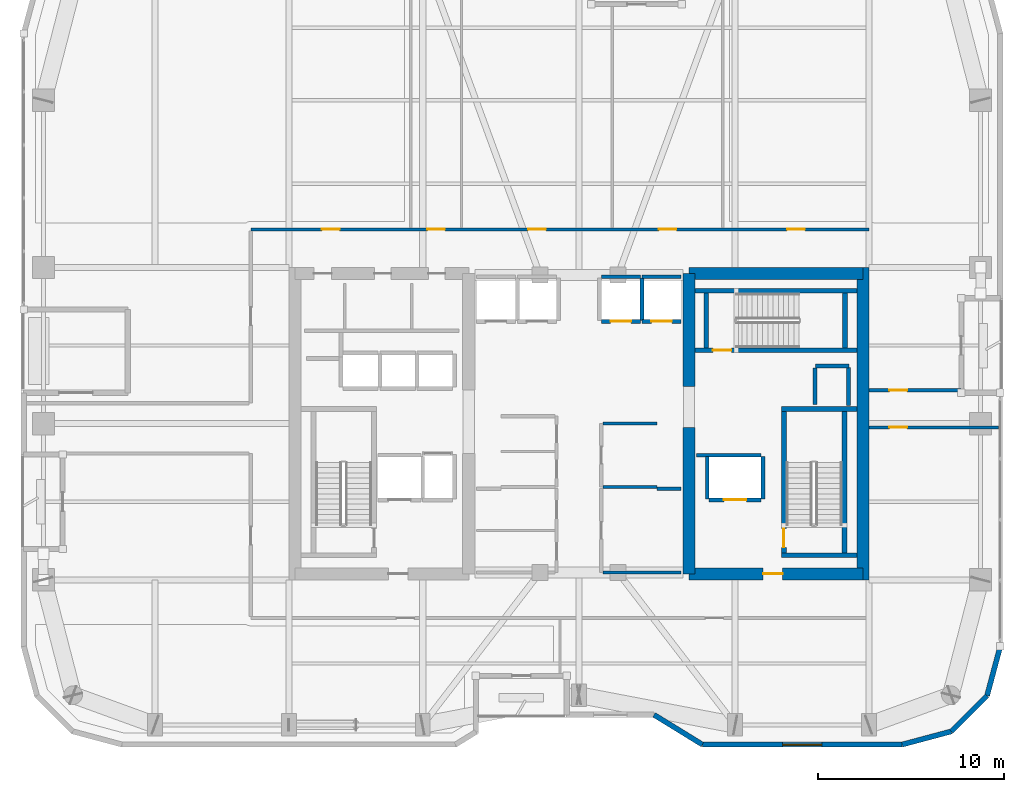
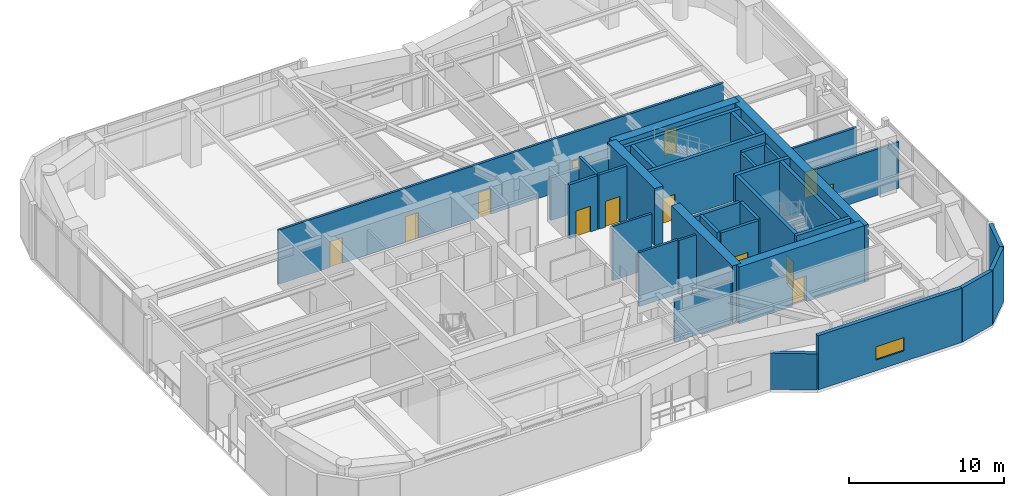
# One storey, part 17 of 21: 37 walls, 13 doors, 1 window, 14 openings.
"""IFC4 building model written with IfcOpenShell, lengths in metres."""

from ifc_helpers import new_model, si_unit, direction, frame, frame_2d, origin, place, context, subcontext, project, spatial, rectangle, extrude, material, layer, layer_set, type_object, element, fill, save


model = new_model("IFC4")

# Units and contexts
model_context = context("Model", 3, precision=1e-05, world=origin(), true_north=direction((0.0, 1.0)))
body_context = subcontext(model_context, "Body", "Model", "MODEL_VIEW")
ifc_project = project(units=[si_unit("LENGTHUNIT", "METRE"), si_unit("AREAUNIT", "SQUARE_METRE"), si_unit("VOLUMEUNIT", "CUBIC_METRE"), si_unit("PLANEANGLEUNIT", "RADIAN"), si_unit("MASSUNIT", "GRAM", prefix="KILO")], contexts=[model_context])

# Site, building, storey
site_placement = place(None, origin())
site = spatial("IfcSite", under=ifc_project, at=site_placement, CompositionType="ELEMENT")
building_placement = place(site_placement, origin())
building = spatial("IfcBuilding", under=site, at=building_placement, Name="Kiyonajd Concourse Tower", CompositionType="ELEMENT")
storey_placement = place(building_placement, frame((0.0, 0.0, 181.800048828125)))
storey = spatial("IfcBuildingStorey", under=building, at=storey_placement, Name="L46", CompositionType="ELEMENT", Elevation=181.800048828125)

# Walls
ifc_material_1 = material(Name="Concrete C60/75", Category="concrete")
ifc_layer_1 = layer(ifc_material_1, 0.64990234375)
ifc_layer_set_1 = layer_set([ifc_layer_1], Name="Concrete C60/75")
wall_type_1 = type_object("IfcWallType", Name="WL-CORE-650", PredefinedType="SHEAR", material=ifc_layer_set_1)
wall_1_placement = place(storey_placement, frame((53.925048828125, 27.925048828125, 0.0), z_axis=(0.0, 0.0, 1.0), x_axis=(0.0, 1.0, 0.0)))
element("IfcWall", 1, at=wall_1_placement, inside=storey, type_object=wall_type_1, Name="L46 East Core Inner South Shear Wall", PredefinedType="SHEAR", context=body_context, shape_type="SweptSolid", body=[
    extrude(rectangle(XDim=7.875, YDim=0.64990234375, at=frame_2d((3.9375, 0.0))), origin(), (0.0, 0.0, 1.0), 4.5),
])
wall_2_placement = place(storey_placement, frame((53.925048828125, 38.0, 0.0), z_axis=(0.0, 0.0, 1.0), x_axis=(0.0, 1.0, 0.0)))
element("IfcWall", 2, at=wall_2_placement, inside=storey, type_object=wall_type_1, Name="L46 East Core Inner North Shear Wall", PredefinedType="SHEAR", context=body_context, shape_type="SweptSolid", body=[
    extrude(rectangle(XDim=6.074951171875, YDim=0.64990234375, at=frame_2d((3.03759765625, 0.0))), origin(), (0.0, 0.0, 1.0), 4.5),
])
wall_3_placement = place(storey_placement, frame((63.27490234375, 27.60009765625, 0.0), z_axis=(0.0, 0.0, 1.0), x_axis=(0.0, 1.0, 0.0)))
element("IfcWall", 3, at=wall_3_placement, inside=storey, type_object=wall_type_1, Name="L46 East Core Outer Shear Wall", PredefinedType="SHEAR", context=body_context, shape_type="SweptSolid", body=[
    extrude(rectangle(XDim=16.7998046875, YDim=0.64990234375, at=frame_2d((8.39990234375, 0.0))), origin(), (0.0, 0.0, 1.0), 4.5),
])

# Wall, opening, door
wall_4_placement = place(storey_placement, frame((53.925048828125, 27.925048828125, 0.0), z_axis=(0.0, 0.0, 1.0), x_axis=(1.0, 0.0, 0.0)))
wall_4 = element("IfcWall", 4, at=wall_4_placement, inside=storey, type_object=wall_type_1, Name="L46 East Core South Shear Wall", PredefinedType="SHEAR", context=body_context, shape_type="SweptSolid", body=[
    extrude(rectangle(XDim=9.349853515625, YDim=0.64990234375, at=frame_2d((4.6748046875, 0.0))), origin(), (0.0, 0.0, 1.0), 4.5),
])
opening_1_placement = place(wall_4_placement, frame((3.97509765625, 0.0, 0.0)))
opening_1 = element("IfcOpeningElement", 5, at=opening_1_placement, cuts=wall_4, Name="Opening DF5", PredefinedType="OPENING", context=body_context, shape_type="SweptSolid", body=[
    extrude(rectangle(XDim=1.050048828125, YDim=2.0400390625, at=frame_2d((0.52490234375, 1.02001953125))), frame((0.0, 0.3349609375, 0.0), z_axis=(0.0, -1.0, 0.0), x_axis=(1.0, 0.0, 0.0)), (0.0, 0.0, 1.0), 0.669921875),
])
ifc_material_2 = material(Name="Brushed Stainless Steel Cab Assembly", Category="steel")
door_type_1 = type_object("IfcDoorType", Name="DR-FD45-1050", OperationType="NOTDEFINED", PredefinedType="DOOR", material=ifc_material_2)
door_1_placement = place(opening_1_placement, origin())
door_1 = element("IfcDoor", 6, at=door_1_placement, inside=storey, type_object=door_type_1, Name="L46 Firefighting Lift Lobby E Smoke Door", OperationType="SINGLE_SWING_RIGHT", OverallHeight=2.0400390625, OverallWidth=1.050048828125, PredefinedType="DOOR", context=body_context, shape_type="SweptSolid", body=[
    extrude(rectangle(XDim=1.050048828125, YDim=2.0400390625, at=frame_2d((0.52490234375, 1.02001953125))), frame((0.0, 0.02490234375, 0.0), z_axis=(0.0, -1.0, 0.0), x_axis=(1.0, 0.0, 0.0)), (0.0, 0.0, 1.0), 0.050048828125),
])
fill(opening_1, door_1)

# Walls
wall_5_placement = place(storey_placement, frame((53.925048828125, 44.074951171875, 0.0), z_axis=(0.0, 0.0, 1.0), x_axis=(1.0, 0.0, 0.0)))
element("IfcWall", 7, at=wall_5_placement, inside=storey, type_object=wall_type_1, Name="L46 East Core North Shear Wall", PredefinedType="SHEAR", context=body_context, shape_type="SweptSolid", body=[
    extrude(rectangle(XDim=9.349853515625, YDim=0.64990234375, at=frame_2d((4.6748046875, 0.0))), origin(), (0.0, 0.0, 1.0), 4.5),
])
ifc_material_3 = material(Name="Precast concrete C50/60", Category="concrete")
ifc_layer_2 = layer(ifc_material_3, 0.280029296875)
ifc_layer_set_2 = layer_set([ifc_layer_2], Name="Precast concrete C50/60")
wall_type_2 = type_object("IfcWallType", Name="WL-EXT-280", PredefinedType="SOLIDWALL", material=ifc_layer_set_2)
wall_6_placement = place(storey_placement, frame((70.659912109375, 24.018310546875, 0.0), z_axis=(0.0, 0.0, 1.0), x_axis=(-0.258672222976, -0.9659651552, 0.0)))
element("IfcWall", 8, at=wall_6_placement, inside=storey, type_object=wall_type_2, Name="L46 Exterior Concrete Frame Wall 28", PredefinedType="SOLIDWALL", context=body_context, shape_type="SweptSolid", body=[
    extrude(rectangle(XDim=2.739013671875, YDim=0.280029296875, at=frame_2d((1.36962890625, 0.0))), origin(), (0.0, 0.0, 1.0), 4.280029296875),
])
wall_7_placement = place(storey_placement, frame((69.951416015625, 21.37255859375, 0.0), z_axis=(0.0, 0.0, 1.0), x_axis=(-0.707061915429, -0.707151644098, 0.0)))
element("IfcWall", 9, at=wall_7_placement, inside=storey, type_object=wall_type_2, Name="L46 Exterior Concrete Frame Wall 29", PredefinedType="SOLIDWALL", context=body_context, shape_type="SweptSolid", body=[
    extrude(rectangle(XDim=2.720947265625, YDim=0.280029296875, at=frame_2d((1.3603515625, 0.0))), origin(), (0.0, 0.0, 1.0), 4.280029296875),
])
wall_8_placement = place(storey_placement, frame((68.027587890625, 19.448486328125, 0.0), z_axis=(0.0, 0.0, 1.0), x_axis=(-0.965971118627, -0.258649952598, 0.0)))
element("IfcWall", 10, at=wall_8_placement, inside=storey, type_object=wall_type_2, Name="L46 Exterior Concrete Frame Wall 30", PredefinedType="SOLIDWALL", context=body_context, shape_type="SweptSolid", body=[
    extrude(rectangle(XDim=2.7392578125, YDim=0.280029296875, at=frame_2d((1.36962890625, 0.0))), origin(), (0.0, 0.0, 1.0), 4.280029296875),
])

# Wall, opening, window
wall_9_placement = place(storey_placement, frame((65.381591796875, 18.739990234375, 0.0), z_axis=(0.0, 0.0, 1.0), x_axis=(-1.0, 0.0, 0.0)))
wall_9 = element("IfcWall", 11, at=wall_9_placement, inside=storey, type_object=wall_type_2, Name="L46 Exterior Concrete Frame Wall 31", PredefinedType="SOLIDWALL", context=body_context, shape_type="SweptSolid", body=[
    extrude(rectangle(XDim=10.741943359375, YDim=0.280029296875, at=frame_2d((5.37109375, 0.0))), origin(), (0.0, 0.0, 1.0), 4.280029296875),
])
opening_2_placement = place(wall_9_placement, frame((4.321044921875, 0.0, 0.85009765625)))
opening_2 = element("IfcOpeningElement", 12, at=opening_2_placement, cuts=wall_9, Name="Opening WN5", PredefinedType="OPENING", context=body_context, shape_type="SweptSolid", body=[
    extrude(rectangle(XDim=2.10009765625, YDim=1.050048828125, at=frame_2d((1.050048828125, 0.52490234375))), frame((0.0, 0.14990234375, 0.0), z_axis=(0.0, -1.0, 0.0), x_axis=(1.0, 0.0, 0.0)), (0.0, 0.0, 1.0), 0.300048828125),
])
ifc_material_4 = material(Name="Double Low-E Insulated Glass", Category="glass")
window_type = type_object("IfcWindowType", Name="WN-VIS-2100x1050", PartitioningType="SINGLE_PANEL", PredefinedType="WINDOW", material=ifc_material_4)
window_placement = place(opening_2_placement, origin())
window = element("IfcWindow", 13, at=window_placement, inside=storey, type_object=window_type, Name="L46 Modular Facade Vision Window 31", OverallHeight=1.050048828125, OverallWidth=2.10009765625, PartitioningType="SINGLE_PANEL", PredefinedType="WINDOW", context=body_context, shape_type="SweptSolid", body=[
    extrude(rectangle(XDim=2.10009765625, YDim=1.050048828125, at=frame_2d((1.050048828125, 0.52490234375))), frame((0.0, 0.030029296875, 0.0), z_axis=(0.0, -1.0, 0.0), x_axis=(1.0, 0.0, 0.0)), (0.0, 0.0, 1.0), 0.06005859375),
])
fill(opening_2, window)

# Walls
wall_10_placement = place(storey_placement, frame((54.6396484375, 18.739990234375, 0.0), z_axis=(0.0, 0.0, 1.0), x_axis=(-0.851652825334, 0.524106349037, 0.0)))
element("IfcWall", 14, at=wall_10_placement, inside=storey, type_object=wall_type_2, Name="L46 Exterior Concrete Frame Wall 32", PredefinedType="SOLIDWALL", context=body_context, shape_type="SweptSolid", body=[
    extrude(rectangle(XDim=3.052978515625, YDim=0.280029296875, at=frame_2d((1.5263671875, 0.0))), origin(), (0.0, 0.0, 1.0), 2.864990234375),
])
ifc_material_5 = material(Name="Gypsum Board on Cold-Formed Steel Stud", Category="steel")
ifc_layer_3 = layer(ifc_material_5, 0.2099609375)
ifc_layer_set_3 = layer_set([ifc_layer_3], Name="Gypsum Board on Cold-Formed Steel Stud")
wall_type_3 = type_object("IfcWallType", Name="WL-SHAFT-210", PredefinedType="PARTITIONING", material=ifc_layer_set_3)
wall_11_placement = place(storey_placement, frame((60.719970703125, 39.10009765625, 0.0), z_axis=(0.0, 0.0, 1.0), x_axis=(1.0, 0.0, 0.0)))
element("IfcWall", 15, at=wall_11_placement, inside=storey, type_object=wall_type_3, Name="L46 Shaft Enclosure Wall", PredefinedType="PARTITIONING", context=body_context, shape_type="SweptSolid", body=[
    extrude(rectangle(XDim=1.800048828125, YDim=0.2099609375, at=frame_2d((0.89990234375, 0.0))), origin(), (0.0, 0.0, 1.0), 4.280029296875),
])
wall_12_placement = place(storey_placement, frame((60.699951171875, 37.02001953125, 0.0), z_axis=(0.0, 0.0, 1.0), x_axis=(0.0, 1.0, 0.0)))
element("IfcWall", 16, at=wall_12_placement, inside=storey, type_object=wall_type_3, Name="L46 Shaft Enclosure Wall", PredefinedType="PARTITIONING", context=body_context, shape_type="SweptSolid", body=[
    extrude(rectangle(XDim=1.9599609375, YDim=0.2099609375, at=frame_2d((0.97998046875, 0.0))), origin(), (0.0, 0.0, 1.0), 4.280029296875),
])
wall_13_placement = place(storey_placement, frame((62.5, 36.97998046875, 0.0), z_axis=(0.0, 0.0, 1.0), x_axis=(0.0, 1.0, 0.0)))
element("IfcWall", 17, at=wall_13_placement, inside=storey, type_object=wall_type_3, Name="L46 Shaft Enclosure Wall", PredefinedType="PARTITIONING", context=body_context, shape_type="SweptSolid", body=[
    extrude(rectangle(XDim=2.0400390625, YDim=0.2099609375, at=frame_2d((1.02001953125, 0.0))), origin(), (0.0, 0.0, 1.0), 4.280029296875),
])

# Wall, opening, door
wall_14_placement = place(storey_placement, frame((55.0, 31.89990234375, 0.0), z_axis=(0.0, 0.0, 1.0), x_axis=(1.0, 0.0, 0.0)))
wall_14 = element("IfcWall", 18, at=wall_14_placement, inside=storey, type_object=wall_type_3, Name="L46 Shaft Enclosure Wall", PredefinedType="PARTITIONING", context=body_context, shape_type="SweptSolid", body=[
    extrude(rectangle(XDim=2.800048828125, YDim=0.2099609375, at=frame_2d((1.39990234375, 0.0))), origin(), (0.0, 0.0, 1.0), 4.280029296875),
])
opening_3_placement = place(wall_14_placement, frame((0.800048828125, 0.0, 0.0)))
opening_3 = element("IfcOpeningElement", 19, at=opening_3_placement, cuts=wall_14, Name="Opening LD2", PredefinedType="OPENING", context=body_context, shape_type="SweptSolid", body=[
    extrude(rectangle(XDim=1.199951171875, YDim=2.0400390625, at=frame_2d((0.60009765625, 1.02001953125))), frame((0.0, 0.114990234375, 0.0), z_axis=(0.0, -1.0, 0.0), x_axis=(1.0, 0.0, 0.0)), (0.0, 0.0, 1.0), 0.22998046875),
])
door_type_2 = type_object("IfcDoorType", Name="DR-LD-1200", OperationType="DOUBLE_DOOR_SLIDING", PredefinedType="DOOR", material=ifc_material_2)
door_2_placement = place(opening_3_placement, origin())
door_2 = element("IfcDoor", 20, at=door_2_placement, inside=storey, type_object=door_type_2, Name="L46 Lift FFL2 Sliding Landing Door", OperationType="DOUBLE_DOOR_SLIDING", OverallHeight=2.0400390625, OverallWidth=1.199951171875, PredefinedType="DOOR", context=body_context, shape_type="SweptSolid", body=[
    extrude(rectangle(XDim=1.199951171875, YDim=2.0400390625, at=frame_2d((0.60009765625, 1.02001953125))), frame((0.0, 0.02490234375, 0.0), z_axis=(0.0, -1.0, 0.0), x_axis=(1.0, 0.0, 0.0)), (0.0, 0.0, 1.0), 0.050048828125),
])
fill(opening_3, door_2)

# Walls
wall_15_placement = place(storey_placement, frame((54.320068359375, 34.300048828125, 0.0), z_axis=(0.0, 0.0, 1.0), x_axis=(1.0, 0.0, 0.0)))
element("IfcWall", 21, at=wall_15_placement, inside=storey, type_object=wall_type_3, Name="L46 Shaft Enclosure Wall", PredefinedType="PARTITIONING", context=body_context, shape_type="SweptSolid", body=[
    extrude(rectangle(XDim=3.47998046875, YDim=0.2099609375, at=frame_2d((1.739990234375, 0.0))), origin(), (0.0, 0.0, 1.0), 4.280029296875),
])
for number, where, z_axis, x_axis, name in (
    (22, (54.89990234375, 31.9599609375, 0.0), (0.0, 0.0, 1.0), (0.0, 1.0, 0.0), "L46 Shaft Enclosure Wall"),
    (23, (57.89990234375, 31.9599609375, 0.0), (0.0, 0.0, 1.0), (0.0, 1.0, 0.0), "L46 Shaft Enclosure Wall"),
):
    element("IfcWall", number, at=place(storey_placement, frame(where, z_axis=z_axis, x_axis=x_axis)), inside=storey, type_object=wall_type_3, Name=name, PredefinedType="PARTITIONING", context=body_context, shape_type="SweptSolid", body=[
        extrude(rectangle(XDim=2.280029296875, YDim=0.2099609375, at=frame_2d((1.14013671875, 0.0))), origin(), (0.0, 0.0, 1.0), 4.280029296875),
    ])

# Wall, opening, door
wall_16_placement = place(storey_placement, frame((49.199951171875, 41.5, 0.0), z_axis=(0.0, 0.0, 1.0), x_axis=(1.0, 0.0, 0.0)))
wall_16 = element("IfcWall", 24, at=wall_16_placement, inside=storey, type_object=wall_type_3, Name="L46 Shaft Enclosure Wall", PredefinedType="PARTITIONING", context=body_context, shape_type="SweptSolid", body=[
    extrude(rectangle(XDim=2.10009765625, YDim=0.2099609375, at=frame_2d((1.050048828125, 0.0))), origin(), (0.0, 0.0, 1.0), 4.280029296875),
])
opening_4_placement = place(wall_16_placement, frame((0.5, 0.0, 0.0)))
opening_4 = element("IfcOpeningElement", 25, at=opening_4_placement, cuts=wall_16, Name="Opening LD1", PredefinedType="OPENING", context=body_context, shape_type="SweptSolid", body=[
    extrude(rectangle(XDim=1.10009765625, YDim=2.0400390625, at=frame_2d((0.550048828125, 1.02001953125))), frame((0.0, 0.114990234375, 0.0), z_axis=(0.0, -1.0, 0.0), x_axis=(1.0, 0.0, 0.0)), (0.0, 0.0, 1.0), 0.22998046875),
])
door_type_3 = type_object("IfcDoorType", Name="DR-LD-1100", OperationType="DOUBLE_DOOR_SLIDING", PredefinedType="DOOR", material=ifc_material_2)
door_3_placement = place(opening_4_placement, origin())
door_3 = element("IfcDoor", 26, at=door_3_placement, inside=storey, type_object=door_type_3, Name="L46 Lift PL-M3 Sliding Landing Door", OperationType="DOUBLE_DOOR_SLIDING", OverallHeight=2.0400390625, OverallWidth=1.10009765625, PredefinedType="DOOR", context=body_context, shape_type="SweptSolid", body=[
    extrude(rectangle(XDim=1.10009765625, YDim=2.0400390625, at=frame_2d((0.550048828125, 1.02001953125))), frame((0.0, 0.02490234375, 0.0), z_axis=(0.0, -1.0, 0.0), x_axis=(1.0, 0.0, 0.0)), (0.0, 0.0, 1.0), 0.050048828125),
])
fill(opening_4, door_3)

# Walls
wall_17_placement = place(storey_placement, frame((49.199951171875, 43.89990234375, 0.0), z_axis=(0.0, 0.0, 1.0), x_axis=(1.0, 0.0, 0.0)))
element("IfcWall", 27, at=wall_17_placement, inside=storey, type_object=wall_type_3, Name="L46 Shaft Enclosure Wall", PredefinedType="PARTITIONING", context=body_context, shape_type="SweptSolid", body=[
    extrude(rectangle(XDim=2.10009765625, YDim=0.2099609375, at=frame_2d((1.050048828125, 0.0))), origin(), (0.0, 0.0, 1.0), 3.364990234375),
])
wall_18_placement = place(storey_placement, frame((51.39990234375, 41.56005859375, 0.0), z_axis=(0.0, 0.0, 1.0), x_axis=(0.0, 1.0, 0.0)))
element("IfcWall", 28, at=wall_18_placement, inside=storey, type_object=wall_type_3, Name="L46 Shaft Enclosure Wall", PredefinedType="PARTITIONING", context=body_context, shape_type="SweptSolid", body=[
    extrude(rectangle(XDim=2.280029296875, YDim=0.2099609375, at=frame_2d((1.14013671875, 0.0))), origin(), (0.0, 0.0, 1.0), 4.280029296875),
])

# Wall, opening, door
wall_19_placement = place(storey_placement, frame((51.39990234375, 41.5, 0.0), z_axis=(0.0, 0.0, 1.0), x_axis=(1.0, 0.0, 0.0)))
wall_19 = element("IfcWall", 29, at=wall_19_placement, inside=storey, type_object=wall_type_3, Name="L46 Shaft Enclosure Wall", PredefinedType="PARTITIONING", context=body_context, shape_type="SweptSolid", body=[
    extrude(rectangle(XDim=2.10009765625, YDim=0.2099609375, at=frame_2d((1.050048828125, 0.0))), origin(), (0.0, 0.0, 1.0), 4.280029296875),
])
opening_5_placement = place(wall_19_placement, frame((0.5, 0.0, 0.0)))
opening_5 = element("IfcOpeningElement", 30, at=opening_5_placement, cuts=wall_19, Name="Opening LD1", PredefinedType="OPENING", context=body_context, shape_type="SweptSolid", body=[
    extrude(rectangle(XDim=1.10009765625, YDim=2.0400390625, at=frame_2d((0.550048828125, 1.02001953125))), frame((0.0, 0.114990234375, 0.0), z_axis=(0.0, -1.0, 0.0), x_axis=(1.0, 0.0, 0.0)), (0.0, 0.0, 1.0), 0.22998046875),
])
door_4_placement = place(opening_5_placement, origin())
door_4 = element("IfcDoor", 31, at=door_4_placement, inside=storey, type_object=door_type_3, Name="L46 Lift PL-M4 Sliding Landing Door", OperationType="DOUBLE_DOOR_SLIDING", OverallHeight=2.0400390625, OverallWidth=1.10009765625, PredefinedType="DOOR", context=body_context, shape_type="SweptSolid", body=[
    extrude(rectangle(XDim=1.10009765625, YDim=2.0400390625, at=frame_2d((0.550048828125, 1.02001953125))), frame((0.0, 0.02490234375, 0.0), z_axis=(0.0, -1.0, 0.0), x_axis=(1.0, 0.0, 0.0)), (0.0, 0.0, 1.0), 0.050048828125),
])
fill(opening_5, door_4)

# Walls
wall_20_placement = place(storey_placement, frame((51.39990234375, 43.89990234375, 0.0), z_axis=(0.0, 0.0, 1.0), x_axis=(1.0, 0.0, 0.0)))
element("IfcWall", 32, at=wall_20_placement, inside=storey, type_object=wall_type_3, Name="L46 Shaft Enclosure Wall", PredefinedType="PARTITIONING", context=body_context, shape_type="SweptSolid", body=[
    extrude(rectangle(XDim=2.10009765625, YDim=0.2099609375, at=frame_2d((1.050048828125, 0.0))), origin(), (0.0, 0.0, 1.0), 3.364990234375),
])
ifc_layer_4 = layer(ifc_material_5, 0.169921875)
ifc_layer_set_4 = layer_set([ifc_layer_4], Name="Gypsum Board on Cold-Formed Steel Stud")
wall_type_4 = type_object("IfcWallType", Name="WL-SMK-170", PredefinedType="PARTITIONING", material=ifc_layer_set_4)
for number, where, z_axis, x_axis, name in (
    (33, (49.287109375, 32.60009765625, 0.0), (0.0, 0.0, 1.0), (1.0, 0.0, 0.0), "L46 Interior Partition Wall"),
    (34, (49.287109375, 36.0, 0.0), (0.0, 0.0, 1.0), (1.0, 0.0, 0.0), "L46 Interior Partition Wall"),
):
    element("IfcWall", number, at=place(storey_placement, frame(where, z_axis=z_axis, x_axis=x_axis)), inside=storey, type_object=wall_type_4, Name=name, PredefinedType="PARTITIONING", context=body_context, shape_type="SweptSolid", body=[
        extrude(rectangle(XDim=2.912841796875, YDim=0.169921875, at=frame_2d((1.45654296875, 0.0))), origin(), (0.0, 0.0, 1.0), 4.280029296875),
    ])
wall_21_placement = place(storey_placement, frame((49.287109375, 28.0, 0.0), z_axis=(0.0, 0.0, 1.0), x_axis=(1.0, 0.0, 0.0)))
element("IfcWall", 35, at=wall_21_placement, inside=storey, type_object=wall_type_4, Name="L46 Interior Partition Wall", PredefinedType="PARTITIONING", context=body_context, shape_type="SweptSolid", body=[
    extrude(rectangle(XDim=4.212890625, YDim=0.169921875, at=frame_2d((2.1064453125, 0.0))), origin(), (0.0, 0.0, 1.0), 3.364990234375),
])
wall_22_placement = place(storey_placement, frame((52.199951171875, 32.5, 0.0), z_axis=(0.0, 0.0, 1.0), x_axis=(1.0, 0.0, 0.0)))
element("IfcWall", 36, at=wall_22_placement, inside=storey, type_object=wall_type_4, Name="L46 Interior Partition Wall", PredefinedType="PARTITIONING", context=body_context, shape_type="SweptSolid", body=[
    extrude(rectangle(XDim=1.300048828125, YDim=0.169921875, at=frame_2d((0.64990234375, 0.0))), origin(), (0.0, 0.0, 1.0), 4.280029296875),
])

# Wall, openings, doors
wall_23_placement = place(storey_placement, frame((30.35009765625, 46.449951171875, 0.0), z_axis=(0.0, 0.0, 1.0), x_axis=(1.0, 0.0, 0.0)))
wall_23 = element("IfcWall", 37, at=wall_23_placement, inside=storey, type_object=wall_type_4, Name="L46 Interior Partition Wall", PredefinedType="PARTITIONING", context=body_context, shape_type="SweptSolid", body=[
    extrude(rectangle(XDim=33.25, YDim=0.169921875, at=frame_2d((16.625, 0.0))), origin(), (0.0, 0.0, 1.0), 4.280029296875),
])
opening_6_placement = place(wall_23_placement, frame((3.830078125, 0.0, 0.0)))
opening_6 = element("IfcOpeningElement", 38, at=opening_6_placement, cuts=wall_23, Name="Opening DI1", PredefinedType="OPENING", context=body_context, shape_type="SweptSolid", body=[
    extrude(rectangle(XDim=0.949951171875, YDim=2.0400390625, at=frame_2d((0.47509765625, 1.02001953125))), frame((0.0, 0.094970703125, 0.0), z_axis=(0.0, -1.0, 0.0), x_axis=(1.0, 0.0, 0.0)), (0.0, 0.0, 1.0), 0.18994140625),
])
opening_7_placement = place(wall_23_placement, frame((9.4951171875, 0.0, 0.0)))
opening_7 = element("IfcOpeningElement", 39, at=opening_7_placement, cuts=wall_23, Name="Opening DI1", PredefinedType="OPENING", context=body_context, shape_type="SweptSolid", body=[
    extrude(rectangle(XDim=0.949951171875, YDim=2.0400390625, at=frame_2d((0.47509765625, 1.02001953125))), frame((0.0, 0.094970703125, 0.0), z_axis=(0.0, -1.0, 0.0), x_axis=(1.0, 0.0, 0.0)), (0.0, 0.0, 1.0), 0.18994140625),
])
opening_8_placement = place(wall_23_placement, frame((14.9150390625, 0.0, 0.0)))
opening_8 = element("IfcOpeningElement", 40, at=opening_8_placement, cuts=wall_23, Name="Opening DI1", PredefinedType="OPENING", context=body_context, shape_type="SweptSolid", body=[
    extrude(rectangle(XDim=0.949951171875, YDim=2.0400390625, at=frame_2d((0.47509765625, 1.02001953125))), frame((0.0, 0.094970703125, 0.0), z_axis=(0.0, -1.0, 0.0), x_axis=(1.0, 0.0, 0.0)), (0.0, 0.0, 1.0), 0.18994140625),
])
opening_9_placement = place(wall_23_placement, frame((21.945068359375, 0.0, 0.0)))
opening_9 = element("IfcOpeningElement", 41, at=opening_9_placement, cuts=wall_23, Name="Opening DI1", PredefinedType="OPENING", context=body_context, shape_type="SweptSolid", body=[
    extrude(rectangle(XDim=0.949951171875, YDim=2.0400390625, at=frame_2d((0.47509765625, 1.02001953125))), frame((0.0, 0.094970703125, 0.0), z_axis=(0.0, -1.0, 0.0), x_axis=(1.0, 0.0, 0.0)), (0.0, 0.0, 1.0), 0.18994140625),
])
opening_10_placement = place(wall_23_placement, frame((28.844970703125, 0.0, 0.0)))
opening_10 = element("IfcOpeningElement", 42, at=opening_10_placement, cuts=wall_23, Name="Opening DI1", PredefinedType="OPENING", context=body_context, shape_type="SweptSolid", body=[
    extrude(rectangle(XDim=0.949951171875, YDim=2.0400390625, at=frame_2d((0.47509765625, 1.02001953125))), frame((0.0, 0.094970703125, 0.0), z_axis=(0.0, -1.0, 0.0), x_axis=(1.0, 0.0, 0.0)), (0.0, 0.0, 1.0), 0.18994140625),
])
ifc_material_6 = material(Name="Natural Oak Acoustic Timber Veneer", Category="wood")
door_type_4 = type_object("IfcDoorType", Name="DR-INT-950", OperationType="NOTDEFINED", PredefinedType="DOOR", material=ifc_material_6)
door_5_placement = place(opening_6_placement, origin())
door_5 = element("IfcDoor", 43, at=door_5_placement, inside=storey, type_object=door_type_4, Name="L46 Interior Door", OperationType="SINGLE_SWING_RIGHT", OverallHeight=2.0400390625, OverallWidth=0.949951171875, PredefinedType="DOOR", context=body_context, shape_type="SweptSolid", body=[
    extrude(rectangle(XDim=0.949951171875, YDim=2.0400390625, at=frame_2d((0.47509765625, 1.02001953125))), frame((0.0, 0.02490234375, 0.0), z_axis=(0.0, -1.0, 0.0), x_axis=(1.0, 0.0, 0.0)), (0.0, 0.0, 1.0), 0.050048828125),
])
fill(opening_6, door_5)
door_6_placement = place(opening_7_placement, origin())
door_6 = element("IfcDoor", 44, at=door_6_placement, inside=storey, type_object=door_type_4, Name="L46 Interior Door", OperationType="SINGLE_SWING_LEFT", OverallHeight=2.0400390625, OverallWidth=0.949951171875, PredefinedType="DOOR", context=body_context, shape_type="SweptSolid", body=[
    extrude(rectangle(XDim=0.949951171875, YDim=2.0400390625, at=frame_2d((0.47509765625, 1.02001953125))), frame((0.0, 0.02490234375, 0.0), z_axis=(0.0, -1.0, 0.0), x_axis=(1.0, 0.0, 0.0)), (0.0, 0.0, 1.0), 0.050048828125),
])
fill(opening_7, door_6)
door_7_placement = place(opening_8_placement, origin())
door_7 = element("IfcDoor", 45, at=door_7_placement, inside=storey, type_object=door_type_4, Name="L46 Interior Door", OperationType="SINGLE_SWING_RIGHT", OverallHeight=2.0400390625, OverallWidth=0.949951171875, PredefinedType="DOOR", context=body_context, shape_type="SweptSolid", body=[
    extrude(rectangle(XDim=0.949951171875, YDim=2.0400390625, at=frame_2d((0.47509765625, 1.02001953125))), frame((0.0, 0.02490234375, 0.0), z_axis=(0.0, -1.0, 0.0), x_axis=(1.0, 0.0, 0.0)), (0.0, 0.0, 1.0), 0.050048828125),
])
fill(opening_8, door_7)
door_8_placement = place(opening_9_placement, origin())
door_8 = element("IfcDoor", 46, at=door_8_placement, inside=storey, type_object=door_type_4, Name="L46 Interior Door", OperationType="SINGLE_SWING_LEFT", OverallHeight=2.0400390625, OverallWidth=0.949951171875, PredefinedType="DOOR", context=body_context, shape_type="SweptSolid", body=[
    extrude(rectangle(XDim=0.949951171875, YDim=2.0400390625, at=frame_2d((0.47509765625, 1.02001953125))), frame((0.0, 0.02490234375, 0.0), z_axis=(0.0, -1.0, 0.0), x_axis=(1.0, 0.0, 0.0)), (0.0, 0.0, 1.0), 0.050048828125),
])
fill(opening_9, door_8)
door_9_placement = place(opening_10_placement, origin())
door_9 = element("IfcDoor", 47, at=door_9_placement, inside=storey, type_object=door_type_4, Name="L46 Interior Door", OperationType="SINGLE_SWING_RIGHT", OverallHeight=2.0400390625, OverallWidth=0.949951171875, PredefinedType="DOOR", context=body_context, shape_type="SweptSolid", body=[
    extrude(rectangle(XDim=0.949951171875, YDim=2.0400390625, at=frame_2d((0.47509765625, 1.02001953125))), frame((0.0, 0.02490234375, 0.0), z_axis=(0.0, -1.0, 0.0), x_axis=(1.0, 0.0, 0.0)), (0.0, 0.0, 1.0), 0.050048828125),
])
fill(opening_10, door_9)

# Wall, opening, door
wall_24_placement = place(storey_placement, frame((63.60009765625, 35.800048828125, 0.0), z_axis=(0.0, 0.0, 1.0), x_axis=(1.0, 0.0, 0.0)))
wall_24 = element("IfcWall", 48, at=wall_24_placement, inside=storey, type_object=wall_type_4, Name="L46 Interior Partition Wall", PredefinedType="PARTITIONING", context=body_context, shape_type="SweptSolid", body=[
    extrude(rectangle(XDim=6.954833984375, YDim=0.169921875, at=frame_2d((3.4775390625, 0.0))), origin(), (0.0, 0.0, 1.0), 3.64306640625),
])
opening_11_placement = place(wall_24_placement, frame((1.10009765625, 0.0, 0.0)))
opening_11 = element("IfcOpeningElement", 49, at=opening_11_placement, cuts=wall_24, Name="Opening DI1", PredefinedType="OPENING", context=body_context, shape_type="SweptSolid", body=[
    extrude(rectangle(XDim=0.949951171875, YDim=2.0400390625, at=frame_2d((0.47509765625, 1.02001953125))), frame((0.0, 0.094970703125, 0.0), z_axis=(0.0, -1.0, 0.0), x_axis=(1.0, 0.0, 0.0)), (0.0, 0.0, 1.0), 0.18994140625),
])
door_10_placement = place(opening_11_placement, origin())
door_10 = element("IfcDoor", 50, at=door_10_placement, inside=storey, type_object=door_type_4, Name="L46 Interior Door", OperationType="SINGLE_SWING_LEFT", OverallHeight=2.0400390625, OverallWidth=0.949951171875, PredefinedType="DOOR", context=body_context, shape_type="SweptSolid", body=[
    extrude(rectangle(XDim=0.949951171875, YDim=2.0400390625, at=frame_2d((0.47509765625, 1.02001953125))), frame((0.0, 0.02490234375, 0.0), z_axis=(0.0, -1.0, 0.0), x_axis=(1.0, 0.0, 0.0)), (0.0, 0.0, 1.0), 0.050048828125),
])
fill(opening_11, door_10)

wall_25_placement = place(storey_placement, frame((63.60009765625, 37.800048828125, 0.0), z_axis=(0.0, 0.0, 1.0), x_axis=(1.0, 0.0, 0.0)))
wall_25 = element("IfcWall", 51, at=wall_25_placement, inside=storey, type_object=wall_type_4, Name="L46 Interior Partition Wall", PredefinedType="PARTITIONING", context=body_context, shape_type="SweptSolid", body=[
    extrude(rectangle(XDim=4.9599609375, YDim=0.169921875, at=frame_2d((2.47998046875, 0.0))), origin(), (0.0, 0.0, 1.0), 4.280029296875),
])
opening_12_placement = place(wall_25_placement, frame((1.10009765625, 0.0, 0.0)))
opening_12 = element("IfcOpeningElement", 52, at=opening_12_placement, cuts=wall_25, Name="Opening DI1", PredefinedType="OPENING", context=body_context, shape_type="SweptSolid", body=[
    extrude(rectangle(XDim=0.949951171875, YDim=2.0400390625, at=frame_2d((0.47509765625, 1.02001953125))), frame((0.0, 0.094970703125, 0.0), z_axis=(0.0, -1.0, 0.0), x_axis=(1.0, 0.0, 0.0)), (0.0, 0.0, 1.0), 0.18994140625),
])
door_11_placement = place(opening_12_placement, origin())
door_11 = element("IfcDoor", 53, at=door_11_placement, inside=storey, type_object=door_type_4, Name="L46 Interior Door", OperationType="SINGLE_SWING_RIGHT", OverallHeight=2.0400390625, OverallWidth=0.949951171875, PredefinedType="DOOR", context=body_context, shape_type="SweptSolid", body=[
    extrude(rectangle(XDim=0.949951171875, YDim=2.0400390625, at=frame_2d((0.47509765625, 1.02001953125))), frame((0.0, 0.02490234375, 0.0), z_axis=(0.0, -1.0, 0.0), x_axis=(1.0, 0.0, 0.0)), (0.0, 0.0, 1.0), 0.050048828125),
])
fill(opening_12, door_11)

# Walls
ifc_material_7 = material(Name="Concrete C50/60", Category="concrete")
ifc_layer_5 = layer(ifc_material_7, 0.260009765625)
ifc_layer_set_5 = layer_set([ifc_layer_5], Name="Concrete C50/60")
wall_type_5 = type_object("IfcWallType", Name="WL-STAIR-260", PredefinedType="SHEAR", material=ifc_layer_set_5)
for number, where, z_axis, x_axis, name in (
    (54, (58.889892578125, 28.919921875, 0.0), (0.0, 0.0, 1.0), (1.0, 0.0, 0.0), "L46 Stair ST2 Structural South Wall"),
    (55, (58.889892578125, 36.780029296875, 0.0), (0.0, 0.0, 1.0), (1.0, 0.0, 0.0), "L46 Stair ST2 Structural North Wall"),
):
    element("IfcWall", number, at=place(storey_placement, frame(where, z_axis=z_axis, x_axis=x_axis)), inside=storey, type_object=wall_type_5, Name=name, PredefinedType="SHEAR", context=body_context, shape_type="SweptSolid", body=[
        extrude(rectangle(XDim=4.06005859375, YDim=0.260009765625, at=frame_2d((2.030029296875, 0.0))), origin(), (0.0, 0.0, 1.0), 4.5),
    ])

# Wall, opening, door
wall_26_placement = place(storey_placement, frame((59.02001953125, 29.050048828125, 0.0), z_axis=(0.0, 0.0, 1.0), x_axis=(0.0, 1.0, 0.0)))
wall_26 = element("IfcWall", 56, at=wall_26_placement, inside=storey, type_object=wall_type_5, Name="L46 Stair ST2 Structural West Wall", PredefinedType="SHEAR", context=body_context, shape_type="SweptSolid", body=[
    extrude(rectangle(XDim=7.599853515625, YDim=0.260009765625, at=frame_2d((3.7998046875, 0.0))), origin(), (0.0, 0.0, 1.0), 4.5),
])
opening_13_placement = place(wall_26_placement, frame((0.300048828125, 0.0, 0.0)))
opening_13 = element("IfcOpeningElement", 57, at=opening_13_placement, cuts=wall_26, Name="Opening DF1", PredefinedType="OPENING", context=body_context, shape_type="SweptSolid", body=[
    extrude(rectangle(XDim=1.0, YDim=2.0400390625, at=frame_2d((0.5, 1.02001953125))), frame((0.0, 0.139892578125, 0.0), z_axis=(0.0, -1.0, 0.0), x_axis=(1.0, 0.0, 0.0)), (0.0, 0.0, 1.0), 0.280029296875),
])
door_type_5 = type_object("IfcDoorType", Name="DR-FD90-1000", OperationType="NOTDEFINED", PredefinedType="DOOR", material=ifc_material_2)
door_12_placement = place(opening_13_placement, origin())
door_12 = element("IfcDoor", 58, at=door_12_placement, inside=storey, type_object=door_type_5, Name="L46 Stair ST2 FSAE Door", OperationType="SINGLE_SWING_RIGHT", OverallHeight=2.0400390625, OverallWidth=1.0, PredefinedType="DOOR", context=body_context, shape_type="SweptSolid", body=[
    extrude(rectangle(XDim=1.0, YDim=2.0400390625, at=frame_2d((0.5, 1.02001953125))), frame((0.0, 0.02490234375, 0.0), z_axis=(0.0, -1.0, 0.0), x_axis=(1.0, 0.0, 0.0)), (0.0, 0.0, 1.0), 0.050048828125),
])
fill(opening_13, door_12)

# Wall
wall_27_placement = place(storey_placement, frame((62.280029296875, 29.050048828125, 0.0), z_axis=(0.0, 0.0, 1.0), x_axis=(0.0, 1.0, 0.0)))
element("IfcWall", 59, at=wall_27_placement, inside=storey, type_object=wall_type_5, Name="L46 Stair ST2 Structural East Wall", PredefinedType="SHEAR", context=body_context, shape_type="SweptSolid", body=[
    extrude(rectangle(XDim=7.599853515625, YDim=0.260009765625, at=frame_2d((3.7998046875, 0.0))), origin(), (0.0, 0.0, 1.0), 4.5),
])

# Wall, opening, door
wall_28_placement = place(storey_placement, frame((54.25, 39.949951171875, 0.0), z_axis=(0.0, 0.0, 1.0), x_axis=(1.0, 0.0, 0.0)))
wall_28 = element("IfcWall", 60, at=wall_28_placement, inside=storey, type_object=wall_type_5, Name="L46 Stair ST3 Structural South Wall", PredefinedType="SHEAR", context=body_context, shape_type="SweptSolid", body=[
    extrude(rectangle(XDim=8.699951171875, YDim=0.260009765625, at=frame_2d((4.35009765625, 0.0))), origin(), (0.0, 0.0, 1.0), 4.5),
])
opening_14_placement = place(wall_28_placement, frame((0.949951171875, 0.0, 0.0)))
opening_14 = element("IfcOpeningElement", 61, at=opening_14_placement, cuts=wall_28, Name="Opening DF1", PredefinedType="OPENING", context=body_context, shape_type="SweptSolid", body=[
    extrude(rectangle(XDim=1.0, YDim=2.0400390625, at=frame_2d((0.5, 1.02001953125))), frame((0.0, 0.139892578125, 0.0), z_axis=(0.0, -1.0, 0.0), x_axis=(1.0, 0.0, 0.0)), (0.0, 0.0, 1.0), 0.280029296875),
])
door_13_placement = place(opening_14_placement, origin())
door_13 = element("IfcDoor", 62, at=door_13_placement, inside=storey, type_object=door_type_5, Name="L46 Stair ST3 Enclosure Door", OperationType="SINGLE_SWING_LEFT", OverallHeight=2.0400390625, OverallWidth=1.0, PredefinedType="DOOR", context=body_context, shape_type="SweptSolid", body=[
    extrude(rectangle(XDim=1.0, YDim=2.0400390625, at=frame_2d((0.5, 1.02001953125))), frame((0.0, 0.02490234375, 0.0), z_axis=(0.0, -1.0, 0.0), x_axis=(1.0, 0.0, 0.0)), (0.0, 0.0, 1.0), 0.050048828125),
])
fill(opening_14, door_13)

# Walls
wall_29_placement = place(storey_placement, frame((54.25, 43.14990234375, 0.0), z_axis=(0.0, 0.0, 1.0), x_axis=(1.0, 0.0, 0.0)))
element("IfcWall", 63, at=wall_29_placement, inside=storey, type_object=wall_type_5, Name="L46 Stair ST3 Structural North Wall", PredefinedType="SHEAR", context=body_context, shape_type="SweptSolid", body=[
    extrude(rectangle(XDim=8.699951171875, YDim=0.260009765625, at=frame_2d((4.35009765625, 0.0))), origin(), (0.0, 0.0, 1.0), 4.5),
])
for number, where, z_axis, x_axis, name in (
    (64, (54.85009765625, 40.080078125, 0.0), (0.0, 0.0, 1.0), (0.0, 1.0, 0.0), "L46 Stair ST3 Structural West Wall"),
    (65, (62.31005859375, 40.080078125, 0.0), (0.0, 0.0, 1.0), (0.0, 1.0, 0.0), "L46 Stair ST3 Structural East Wall"),
):
    element("IfcWall", number, at=place(storey_placement, frame(where, z_axis=z_axis, x_axis=x_axis)), inside=storey, type_object=wall_type_5, Name=name, PredefinedType="SHEAR", context=body_context, shape_type="SweptSolid", body=[
        extrude(rectangle(XDim=2.93994140625, YDim=0.260009765625, at=frame_2d((1.469970703125, 0.0))), origin(), (0.0, 0.0, 1.0), 4.5),
    ])

save(model, "model.ifc")
